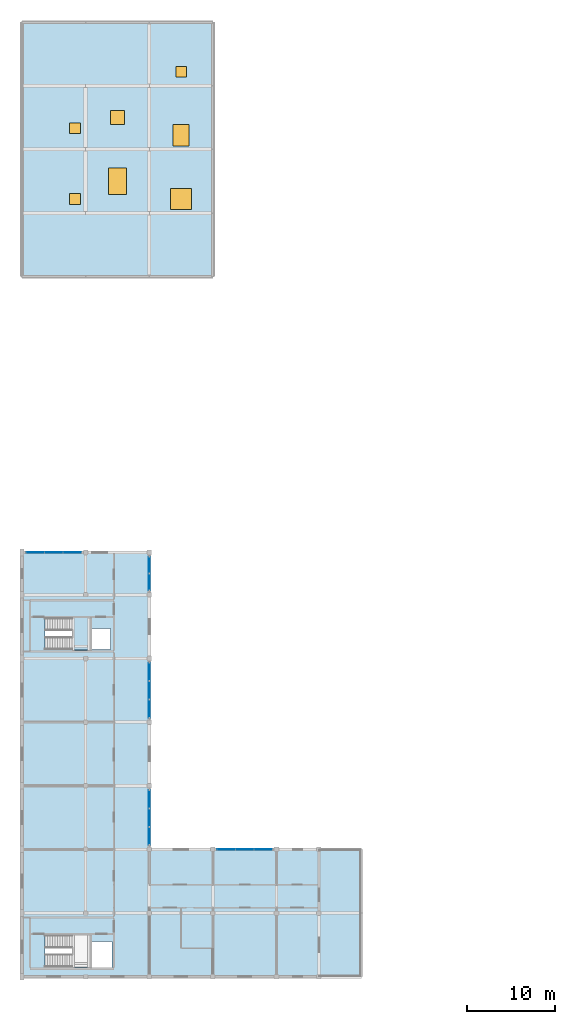
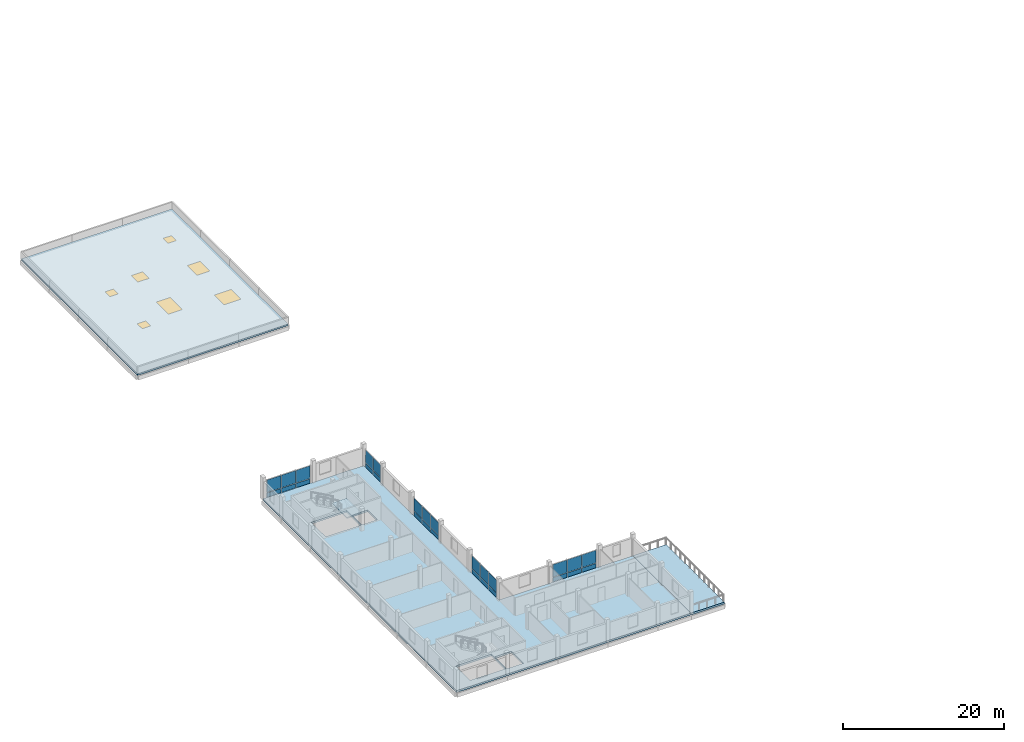
# One storey, part 17 of 26: 28 plates, 4 slabs, 4 windows, 3 doors, 7 openings, 6 elements without a shape of their own.
"""IFC4 building model written with IfcOpenShell, lengths in metres."""

from ifc_helpers import new_model, si_unit, direction, frame, origin, origin_2d, place, context, subcontext, project, spatial, polyline, rectangle, outline, extrude, material, layer, layer_set, type_object, element, fill, aggregate, save


model = new_model("IFC4")

# Units and contexts
model_context = context("Model", 3, precision=1e-05, world=origin(), true_north=direction((0.0, 1.0)))
body_context = subcontext(model_context, "Body", "Model", "MODEL_VIEW")
ifc_project = project(units=[si_unit("LENGTHUNIT", "METRE"), si_unit("AREAUNIT", "SQUARE_METRE"), si_unit("VOLUMEUNIT", "CUBIC_METRE"), si_unit("PLANEANGLEUNIT", "RADIAN"), si_unit("MASSUNIT", "GRAM", prefix="KILO")], contexts=[model_context])

# Site, building, storey
site_placement = place(None, origin())
site = spatial("IfcSite", under=ifc_project, at=site_placement, CompositionType="ELEMENT")
building_placement = place(site_placement, origin())
building = spatial("IfcBuilding", under=site, at=building_placement, Name="Zornivar Specialist Clinic", CompositionType="ELEMENT")
storey_placement = place(building_placement, frame((0.0, 0.0, 19.699951171875)))
storey = spatial("IfcBuildingStorey", under=building, at=storey_placement, Name="L05", CompositionType="ELEMENT", Elevation=19.699951171875)

# Curtain wall, plates
ifc_material_1 = material(Name="Aluminium and Low-E Glass Curtain Wall", Category="aluminium")
curtain_wall_type = type_object("IfcCurtainWallType", Name="CW-REVAK-COURT", PredefinedType="NOTDEFINED", material=ifc_material_1)
curtain_wall_1_placement = place(storey_placement, origin())
curtain_wall_1 = element("IfcCurtainWall", 1, at=curtain_wall_1_placement, inside=storey, type_object=curtain_wall_type, Name="cw:V2:L05:08", PredefinedType="NOTDEFINED")
ifc_material_2 = material(Name="Insulated Limestone-Faced Spandrel Panel", Category="masonry")
ifc_layer_1 = layer(ifc_material_2, 0.05810546875)
ifc_layer_set_1 = layer_set([ifc_layer_1], Name="Insulated Limestone-Faced Spandrel Panel")
plate_type_1 = type_object("IfcPlateType", Name="CWP-SPN-D", PredefinedType="CURTAIN_PANEL", material=ifc_layer_set_1)
plate_1_placement = place(storey_placement, frame((27.280029296875, 14.39990234375, 0.0302734375), z_axis=(0.0, 0.0, 1.0), x_axis=(-1.0, 0.0, 0.0)))
plate_1 = element("IfcPlate", 2, at=plate_1_placement, type_object=plate_type_1, Name="cw:V2:L05:08:spn:0", PredefinedType="CURTAIN_PANEL", context=body_context, shape_type="SweptSolid", body=[
    extrude(rectangle(XDim=2.010009765625, YDim=0.05810546875, at=origin_2d()), origin(), (0.0, 0.0, 1.0), 0.657958984375),
])
plate_2_placement = place(storey_placement, frame((25.199951171875, 14.39990234375, 0.0302734375), z_axis=(0.0, 0.0, 1.0), x_axis=(-1.0, 0.0, 0.0)))
plate_2 = element("IfcPlate", 3, at=plate_2_placement, type_object=plate_type_1, Name="cw:V2:L05:08:spn:1", PredefinedType="CURTAIN_PANEL", context=body_context, shape_type="SweptSolid", body=[
    extrude(rectangle(XDim=2.010009765625, YDim=0.05810546875, at=origin_2d()), origin(), (0.0, 0.0, 1.0), 0.657958984375),
])
plate_3_placement = place(storey_placement, frame((23.1201171875, 14.39990234375, 0.0302734375), z_axis=(0.0, 0.0, 1.0), x_axis=(-1.0, 0.0, 0.0)))
plate_3 = element("IfcPlate", 4, at=plate_3_placement, type_object=plate_type_1, Name="cw:V2:L05:08:spn:2", PredefinedType="CURTAIN_PANEL", context=body_context, shape_type="SweptSolid", body=[
    extrude(rectangle(XDim=2.010009765625, YDim=0.05810546875, at=origin_2d()), origin(), (0.0, 0.0, 1.0), 0.657958984375),
])

curtain_wall_2_placement = place(storey_placement, origin())
curtain_wall_2 = element("IfcCurtainWall", 5, at=curtain_wall_2_placement, inside=storey, type_object=curtain_wall_type, Name="cw:V2:L05:10", PredefinedType="NOTDEFINED")
plate_4_placement = place(storey_placement, frame((14.39990234375, 15.919921875, 0.0302734375), z_axis=(0.0, 0.0, 1.0), x_axis=(0.0, 1.0, 0.0)))
plate_4 = element("IfcPlate", 6, at=plate_4_placement, type_object=plate_type_1, Name="cw:V2:L05:10:spn:0", PredefinedType="CURTAIN_PANEL", context=body_context, shape_type="SweptSolid", body=[
    extrude(rectangle(XDim=2.010009765625, YDim=0.05810546875, at=origin_2d()), origin(), (0.0, 0.0, 1.0), 0.657958984375),
])
plate_5_placement = place(storey_placement, frame((14.39990234375, 18.0, 0.0302734375), z_axis=(0.0, 0.0, 1.0), x_axis=(0.0, 1.0, 0.0)))
plate_5 = element("IfcPlate", 7, at=plate_5_placement, type_object=plate_type_1, Name="cw:V2:L05:10:spn:1", PredefinedType="CURTAIN_PANEL", context=body_context, shape_type="SweptSolid", body=[
    extrude(rectangle(XDim=2.010009765625, YDim=0.05810546875, at=origin_2d()), origin(), (0.0, 0.0, 1.0), 0.657958984375),
])
plate_6_placement = place(storey_placement, frame((14.39990234375, 20.080078125, 0.0302734375), z_axis=(0.0, 0.0, 1.0), x_axis=(0.0, 1.0, 0.0)))
plate_6 = element("IfcPlate", 8, at=plate_6_placement, type_object=plate_type_1, Name="cw:V2:L05:10:spn:2", PredefinedType="CURTAIN_PANEL", context=body_context, shape_type="SweptSolid", body=[
    extrude(rectangle(XDim=2.010009765625, YDim=0.05810546875, at=origin_2d()), origin(), (0.0, 0.0, 1.0), 0.657958984375),
])

curtain_wall_3_placement = place(storey_placement, origin())
curtain_wall_3 = element("IfcCurtainWall", 9, at=curtain_wall_3_placement, inside=storey, type_object=curtain_wall_type, Name="cw:V2:L05:12", PredefinedType="NOTDEFINED")
plate_7_placement = place(storey_placement, frame((14.39990234375, 30.320068359375, 0.0302734375), z_axis=(0.0, 0.0, 1.0), x_axis=(0.0, 1.0, 0.0)))
plate_7 = element("IfcPlate", 10, at=plate_7_placement, type_object=plate_type_1, Name="cw:V2:L05:12:spn:0", PredefinedType="CURTAIN_PANEL", context=body_context, shape_type="SweptSolid", body=[
    extrude(rectangle(XDim=2.010009765625, YDim=0.05810546875, at=origin_2d()), origin(), (0.0, 0.0, 1.0), 0.657958984375),
])
plate_8_placement = place(storey_placement, frame((14.39990234375, 32.39990234375, 0.0302734375), z_axis=(0.0, 0.0, 1.0), x_axis=(0.0, 1.0, 0.0)))
plate_8 = element("IfcPlate", 11, at=plate_8_placement, type_object=plate_type_1, Name="cw:V2:L05:12:spn:1", PredefinedType="CURTAIN_PANEL", context=body_context, shape_type="SweptSolid", body=[
    extrude(rectangle(XDim=2.010009765625, YDim=0.05810546875, at=origin_2d()), origin(), (0.0, 0.0, 1.0), 0.657958984375),
])
plate_9_placement = place(storey_placement, frame((14.39990234375, 34.47998046875, 0.0302734375), z_axis=(0.0, 0.0, 1.0), x_axis=(0.0, 1.0, 0.0)))
plate_9 = element("IfcPlate", 12, at=plate_9_placement, type_object=plate_type_1, Name="cw:V2:L05:12:spn:2", PredefinedType="CURTAIN_PANEL", context=body_context, shape_type="SweptSolid", body=[
    extrude(rectangle(XDim=2.010009765625, YDim=0.05810546875, at=origin_2d()), origin(), (0.0, 0.0, 1.0), 0.657958984375),
])

curtain_wall_4_placement = place(storey_placement, origin())
curtain_wall_4 = element("IfcCurtainWall", 13, at=curtain_wall_4_placement, inside=storey, type_object=curtain_wall_type, Name="cw:V2:L05:14", PredefinedType="NOTDEFINED")
plate_10_placement = place(storey_placement, frame((14.39990234375, 44.639892578125, 0.0302734375), z_axis=(0.0, 0.0, 1.0), x_axis=(0.0, 1.0, 0.0)))
plate_10 = element("IfcPlate", 14, at=plate_10_placement, type_object=plate_type_1, Name="cw:V2:L05:14:spn:0", PredefinedType="CURTAIN_PANEL", context=body_context, shape_type="SweptSolid", body=[
    extrude(rectangle(XDim=1.85009765625, YDim=0.05810546875, at=origin_2d()), origin(), (0.0, 0.0, 1.0), 0.657958984375),
])
plate_11_placement = place(storey_placement, frame((14.39990234375, 46.56005859375, 0.0302734375), z_axis=(0.0, 0.0, 1.0), x_axis=(0.0, 1.0, 0.0)))
plate_11 = element("IfcPlate", 15, at=plate_11_placement, type_object=plate_type_1, Name="cw:V2:L05:14:spn:1", PredefinedType="CURTAIN_PANEL", context=body_context, shape_type="SweptSolid", body=[
    extrude(rectangle(XDim=1.85009765625, YDim=0.05810546875, at=origin_2d()), origin(), (0.0, 0.0, 1.0), 0.657958984375),
])

curtain_wall_5_placement = place(storey_placement, origin())
curtain_wall_5 = element("IfcCurtainWall", 16, at=curtain_wall_5_placement, inside=storey, type_object=curtain_wall_type, Name="cw:V2:L05:16", PredefinedType="NOTDEFINED")
plate_12_placement = place(storey_placement, frame((5.679931640625, 48.0, 0.0302734375), z_axis=(0.0, 0.0, 1.0), x_axis=(-1.0, 0.0, 0.0)))
plate_12 = element("IfcPlate", 17, at=plate_12_placement, type_object=plate_type_1, Name="cw:V2:L05:16:spn:0", PredefinedType="CURTAIN_PANEL", context=body_context, shape_type="SweptSolid", body=[
    extrude(rectangle(XDim=2.010009765625, YDim=0.05810546875, at=origin_2d()), origin(), (0.0, 0.0, 1.0), 0.657958984375),
])
plate_13_placement = place(storey_placement, frame((3.60009765625, 48.0, 0.0302734375), z_axis=(0.0, 0.0, 1.0), x_axis=(-1.0, 0.0, 0.0)))
plate_13 = element("IfcPlate", 18, at=plate_13_placement, type_object=plate_type_1, Name="cw:V2:L05:16:spn:1", PredefinedType="CURTAIN_PANEL", context=body_context, shape_type="SweptSolid", body=[
    extrude(rectangle(XDim=2.010009765625, YDim=0.05810546875, at=origin_2d()), origin(), (0.0, 0.0, 1.0), 0.657958984375),
])
plate_14_placement = place(storey_placement, frame((1.52001953125, 48.0, 0.0302734375), z_axis=(0.0, 0.0, 1.0), x_axis=(-1.0, 0.0, 0.0)))
plate_14 = element("IfcPlate", 19, at=plate_14_placement, type_object=plate_type_1, Name="cw:V2:L05:16:spn:2", PredefinedType="CURTAIN_PANEL", context=body_context, shape_type="SweptSolid", body=[
    extrude(rectangle(XDim=2.010009765625, YDim=0.05810546875, at=origin_2d()), origin(), (0.0, 0.0, 1.0), 0.657958984375),
])

# Plate
ifc_material_3 = material(Name="Triple Low-E Vision Glass", Category="glass")
ifc_layer_2 = layer(ifc_material_3, 0.035888671875)
ifc_layer_set_2 = layer_set([ifc_layer_2], Name="Triple Low-E Vision Glass")
plate_type_2 = type_object("IfcPlateType", Name="CWP-VIS-F", PredefinedType="CURTAIN_PANEL", material=ifc_layer_set_2)
plate_15_placement = place(storey_placement, frame((27.280029296875, 14.39990234375, 0.75341796875), z_axis=(0.0, 0.0, 1.0), x_axis=(-1.0, 0.0, 0.0)))
plate_15 = element("IfcPlate", 20, at=plate_15_placement, type_object=plate_type_2, Name="cw:V2:L05:08:vis:0", PredefinedType="CURTAIN_PANEL", context=body_context, shape_type="SweptSolid", body=[
    extrude(rectangle(XDim=2.010009765625, YDim=0.035888671875, at=origin_2d()), origin(), (0.0, 0.0, 1.0), 1.906982421875),
])

plate_16_placement = place(storey_placement, frame((25.199951171875, 14.39990234375, 0.75341796875), z_axis=(0.0, 0.0, 1.0), x_axis=(-1.0, 0.0, 0.0)))
plate_16 = element("IfcPlate", 21, at=plate_16_placement, type_object=plate_type_2, Name="cw:V2:L05:08:vis:1", PredefinedType="CURTAIN_PANEL", context=body_context, shape_type="SweptSolid", body=[
    extrude(rectangle(XDim=2.010009765625, YDim=0.035888671875, at=origin_2d()), origin(), (0.0, 0.0, 1.0), 1.906982421875),
])

plate_17_placement = place(storey_placement, frame((23.1201171875, 14.39990234375, 0.75341796875), z_axis=(0.0, 0.0, 1.0), x_axis=(-1.0, 0.0, 0.0)))
plate_17 = element("IfcPlate", 22, at=plate_17_placement, type_object=plate_type_2, Name="cw:V2:L05:08:vis:2", PredefinedType="CURTAIN_PANEL", context=body_context, shape_type="SweptSolid", body=[
    extrude(rectangle(XDim=2.010009765625, YDim=0.035888671875, at=origin_2d()), origin(), (0.0, 0.0, 1.0), 1.906982421875),
])

aggregate(curtain_wall_1, [plate_1, plate_15, plate_2, plate_16, plate_3, plate_17])

plate_18_placement = place(storey_placement, frame((14.39990234375, 30.320068359375, 0.75341796875), z_axis=(0.0, 0.0, 1.0), x_axis=(0.0, 1.0, 0.0)))
plate_18 = element("IfcPlate", 23, at=plate_18_placement, type_object=plate_type_2, Name="cw:V2:L05:12:vis:0", PredefinedType="CURTAIN_PANEL", context=body_context, shape_type="SweptSolid", body=[
    extrude(rectangle(XDim=2.010009765625, YDim=0.035888671875, at=origin_2d()), origin(), (0.0, 0.0, 1.0), 1.906982421875),
])

plate_19_placement = place(storey_placement, frame((14.39990234375, 32.39990234375, 0.75341796875), z_axis=(0.0, 0.0, 1.0), x_axis=(0.0, 1.0, 0.0)))
plate_19 = element("IfcPlate", 24, at=plate_19_placement, type_object=plate_type_2, Name="cw:V2:L05:12:vis:1", PredefinedType="CURTAIN_PANEL", context=body_context, shape_type="SweptSolid", body=[
    extrude(rectangle(XDim=2.010009765625, YDim=0.035888671875, at=origin_2d()), origin(), (0.0, 0.0, 1.0), 1.906982421875),
])

plate_20_placement = place(storey_placement, frame((14.39990234375, 34.47998046875, 0.75341796875), z_axis=(0.0, 0.0, 1.0), x_axis=(0.0, 1.0, 0.0)))
plate_20 = element("IfcPlate", 25, at=plate_20_placement, type_object=plate_type_2, Name="cw:V2:L05:12:vis:2", PredefinedType="CURTAIN_PANEL", context=body_context, shape_type="SweptSolid", body=[
    extrude(rectangle(XDim=2.010009765625, YDim=0.035888671875, at=origin_2d()), origin(), (0.0, 0.0, 1.0), 1.906982421875),
])

aggregate(curtain_wall_3, [plate_7, plate_18, plate_8, plate_19, plate_9, plate_20])

plate_21_placement = place(storey_placement, frame((5.679931640625, 48.0, 0.75341796875), z_axis=(0.0, 0.0, 1.0), x_axis=(-1.0, 0.0, 0.0)))
plate_21 = element("IfcPlate", 26, at=plate_21_placement, type_object=plate_type_2, Name="cw:V2:L05:16:vis:0", PredefinedType="CURTAIN_PANEL", context=body_context, shape_type="SweptSolid", body=[
    extrude(rectangle(XDim=2.010009765625, YDim=0.035888671875, at=origin_2d()), origin(), (0.0, 0.0, 1.0), 1.906982421875),
])

plate_22_placement = place(storey_placement, frame((3.60009765625, 48.0, 0.75341796875), z_axis=(0.0, 0.0, 1.0), x_axis=(-1.0, 0.0, 0.0)))
plate_22 = element("IfcPlate", 27, at=plate_22_placement, type_object=plate_type_2, Name="cw:V2:L05:16:vis:1", PredefinedType="CURTAIN_PANEL", context=body_context, shape_type="SweptSolid", body=[
    extrude(rectangle(XDim=2.010009765625, YDim=0.035888671875, at=origin_2d()), origin(), (0.0, 0.0, 1.0), 1.906982421875),
])

plate_23_placement = place(storey_placement, frame((1.52001953125, 48.0, 0.75341796875), z_axis=(0.0, 0.0, 1.0), x_axis=(-1.0, 0.0, 0.0)))
plate_23 = element("IfcPlate", 28, at=plate_23_placement, type_object=plate_type_2, Name="cw:V2:L05:16:vis:2", PredefinedType="CURTAIN_PANEL", context=body_context, shape_type="SweptSolid", body=[
    extrude(rectangle(XDim=2.010009765625, YDim=0.035888671875, at=origin_2d()), origin(), (0.0, 0.0, 1.0), 1.906982421875),
])

aggregate(curtain_wall_5, [plate_12, plate_21, plate_13, plate_22, plate_14, plate_23])

ifc_material_4 = material(Name="Triple Low-E Vision Glass", Category="glass")
ifc_layer_3 = layer(ifc_material_4, 0.035888671875)
ifc_layer_set_3 = layer_set([ifc_layer_3], Name="Triple Low-E Vision Glass")
plate_type_3 = type_object("IfcPlateType", Name="CWP-VIS-G", PredefinedType="CURTAIN_PANEL", material=ifc_layer_set_3)
plate_24_placement = place(storey_placement, frame((14.39990234375, 15.919921875, 0.75341796875), z_axis=(0.0, 0.0, 1.0), x_axis=(0.0, 1.0, 0.0)))
plate_24 = element("IfcPlate", 29, at=plate_24_placement, type_object=plate_type_3, Name="cw:V2:L05:10:vis:0", PredefinedType="CURTAIN_PANEL", context=body_context, shape_type="SweptSolid", body=[
    extrude(rectangle(XDim=2.010009765625, YDim=0.035888671875, at=origin_2d()), origin(), (0.0, 0.0, 1.0), 1.906982421875),
])

plate_25_placement = place(storey_placement, frame((14.39990234375, 18.0, 0.75341796875), z_axis=(0.0, 0.0, 1.0), x_axis=(0.0, 1.0, 0.0)))
plate_25 = element("IfcPlate", 30, at=plate_25_placement, type_object=plate_type_3, Name="cw:V2:L05:10:vis:1", PredefinedType="CURTAIN_PANEL", context=body_context, shape_type="SweptSolid", body=[
    extrude(rectangle(XDim=2.010009765625, YDim=0.035888671875, at=origin_2d()), origin(), (0.0, 0.0, 1.0), 1.906982421875),
])

plate_26_placement = place(storey_placement, frame((14.39990234375, 20.080078125, 0.75341796875), z_axis=(0.0, 0.0, 1.0), x_axis=(0.0, 1.0, 0.0)))
plate_26 = element("IfcPlate", 31, at=plate_26_placement, type_object=plate_type_3, Name="cw:V2:L05:10:vis:2", PredefinedType="CURTAIN_PANEL", context=body_context, shape_type="SweptSolid", body=[
    extrude(rectangle(XDim=2.010009765625, YDim=0.035888671875, at=origin_2d()), origin(), (0.0, 0.0, 1.0), 1.906982421875),
])

aggregate(curtain_wall_2, [plate_4, plate_24, plate_5, plate_25, plate_6, plate_26])

plate_27_placement = place(storey_placement, frame((14.39990234375, 44.639892578125, 0.75341796875), z_axis=(0.0, 0.0, 1.0), x_axis=(0.0, 1.0, 0.0)))
plate_27 = element("IfcPlate", 32, at=plate_27_placement, type_object=plate_type_3, Name="cw:V2:L05:14:vis:0", PredefinedType="CURTAIN_PANEL", context=body_context, shape_type="SweptSolid", body=[
    extrude(rectangle(XDim=1.85009765625, YDim=0.035888671875, at=origin_2d()), origin(), (0.0, 0.0, 1.0), 1.906982421875),
])

plate_28_placement = place(storey_placement, frame((14.39990234375, 46.56005859375, 0.75341796875), z_axis=(0.0, 0.0, 1.0), x_axis=(0.0, 1.0, 0.0)))
plate_28 = element("IfcPlate", 33, at=plate_28_placement, type_object=plate_type_3, Name="cw:V2:L05:14:vis:1", PredefinedType="CURTAIN_PANEL", context=body_context, shape_type="SweptSolid", body=[
    extrude(rectangle(XDim=1.85009765625, YDim=0.035888671875, at=origin_2d()), origin(), (0.0, 0.0, 1.0), 1.906982421875),
])

aggregate(curtain_wall_4, [plate_10, plate_27, plate_11, plate_28])

# Slabs
ifc_material_5 = material(Name="Concrete C30/37", Category="concrete")
ifc_layer_4 = layer(ifc_material_5, 0.280029296875)
ifc_layer_set_4 = layer_set([ifc_layer_4], Name="Concrete C30/37")
slab_type_1 = type_object("IfcSlabType", Name="SLB-EXT-TERR-280", PredefinedType="FLOOR", material=ifc_layer_set_4)
slab_1_placement = place(storey_placement, frame((0.0, 0.0, -0.280029296875)))
element("IfcSlab", 34, at=slab_1_placement, inside=storey, type_object=slab_type_1, Name="slab:V2:L05:terr:0", PredefinedType="FLOOR", context=body_context, shape_type="SweptSolid", body=[
    extrude(outline(polyline([(33.60009765625, 0.0), (38.39990234375, 0.0), (38.39990234375, 14.39990234375), (33.60009765625, 14.39990234375), (33.60009765625, 0.0)])), origin(), (0.0, 0.0, 1.0), 0.280029296875),
])
ifc_material_6 = material(Name="Concrete C30/37", Category="concrete")
ifc_layer_5 = layer(ifc_material_6, 0.280029296875)
ifc_layer_set_5 = layer_set([ifc_layer_5], Name="Concrete C30/37")
slab_type_2 = type_object("IfcSlabType", Name="SLB-FLR-280", PredefinedType="FLOOR", material=ifc_layer_set_5)
slab_2_placement = place(storey_placement, frame((0.0, 0.0, -0.280029296875)))
element("IfcSlab", 35, at=slab_2_placement, inside=storey, type_object=slab_type_2, Name="slab:V2:L05:main", PredefinedType="FLOOR", context=body_context, shape_type="SweptSolid", body=[
    extrude(outline(polyline([(0.0, 0.0), (33.60009765625, 0.0), (33.60009765625, 14.39990234375), (14.39990234375, 14.39990234375), (14.39990234375, 48.0), (0.0, 48.0), (0.0, 0.0)]), holes=[polyline([(2.6201171875, 1.10009765625), (7.699951171875, 1.10009765625), (7.699951171875, 4.699951171875), (2.6201171875, 4.699951171875), (2.6201171875, 1.10009765625)]), polyline([(7.800048828125, 1.0), (10.199951171875, 1.0), (10.199951171875, 4.0), (7.800048828125, 4.0), (7.800048828125, 1.0)]), polyline([(2.6201171875, 37.0), (7.699951171875, 37.0), (7.699951171875, 40.60009765625), (2.6201171875, 40.60009765625), (2.6201171875, 37.0)]), polyline([(7.800048828125, 37.0), (10.0, 37.0), (10.0, 39.39990234375), (7.800048828125, 39.39990234375), (7.800048828125, 37.0)])]), origin(), (0.0, 0.0, 1.0), 0.280029296875),
])

# Stair, slab
ifc_material_7 = material(Name="Concrete C30/37", Category="concrete")
stair_type = type_object("IfcStairType", Name="STR-CORE-UPPER-3700", PredefinedType="HALF_TURN_STAIR", material=ifc_material_7)
stair_placement = place(storey_placement, origin())
stair = element("IfcStair", 36, at=stair_placement, inside=storey, type_object=stair_type, Name="stair:C2:L05", PredefinedType="HALF_TURN_STAIR")
ifc_material_8 = material(Name="Concrete C30/37", Category="concrete")
ifc_layer_6 = layer(ifc_material_8, 0.179931640625)
ifc_layer_set_6 = layer_set([ifc_layer_6], Name="Concrete C30/37")
slab_type_3 = type_object("IfcSlabType", Name="SLB-LANDING-180", PredefinedType="LANDING", material=ifc_layer_set_6)
slab_3_placement = place(storey_placement, frame((0.0, 0.0, 1.670166015625)))
slab_3 = element("IfcSlab", 37, at=slab_3_placement, type_object=slab_type_3, Name="stair:C2:L05:land", PredefinedType="LANDING", context=body_context, shape_type="SweptSolid", body=[
    extrude(outline(polyline([(5.659912109375, 36.97998046875), (7.719970703125, 36.97998046875), (7.719970703125, 40.6201171875), (5.659912109375, 40.6201171875), (5.659912109375, 36.97998046875)])), origin(), (0.0, 0.0, 1.0), 0.179931640625),
])
aggregate(stair, [slab_3])

# Slab, openings, doors, windows
ifc_material_9 = material(Name="Concrete C30/37", Category="concrete")
ifc_layer_7 = layer(ifc_material_9, 0.239990234375)
ifc_layer_set_7 = layer_set([ifc_layer_7], Name="Concrete C30/37")
slab_type_4 = type_object("IfcSlabType", Name="SLB-ROOF-FLAT-240", PredefinedType="ROOF", material=ifc_layer_set_7)
slab_4_placement = place(storey_placement, frame((0.0, 0.0, -0.239990234375)))
slab_4 = element("IfcSlab", 38, at=slab_4_placement, inside=storey, type_object=slab_type_4, Name="slab:V5:L05:roof", PredefinedType="ROOF", context=body_context, shape_type="SweptSolid", body=[
    extrude(outline(polyline([(0.0, 79.199951171875), (21.60009765625, 79.199951171875), (21.60009765625, 108.0), (0.0, 108.0), (0.0, 79.199951171875)])), origin(), (0.0, 0.0, 1.0), 0.239990234375),
])
opening_1_placement = place(slab_4_placement, frame((10.800048828125, 90.0, 0.0)))
opening_1 = element("IfcOpeningElement", 39, at=opening_1_placement, cuts=slab_4, Name="Opening SK-02", PredefinedType="OPENING", context=body_context, shape_type="SweptSolid", body=[
    extrude(rectangle(XDim=2.0, YDim=3.0, at=origin_2d()), origin(), (0.0, 0.0, 1.0), 0.239990234375),
])
opening_2_placement = place(slab_4_placement, frame((10.800048828125, 97.199951171875, 0.0)))
opening_2 = element("IfcOpeningElement", 40, at=opening_2_placement, cuts=slab_4, Name="Opening SK-04", PredefinedType="OPENING", context=body_context, shape_type="SweptSolid", body=[
    extrude(rectangle(XDim=1.60009765625, YDim=1.60009765625, at=origin_2d()), origin(), (0.0, 0.0, 1.0), 0.239990234375),
])
opening_3_placement = place(slab_4_placement, frame((18.0, 88.0, 0.0)))
opening_3 = element("IfcOpeningElement", 41, at=opening_3_placement, cuts=slab_4, Name="Opening SK-01", PredefinedType="OPENING", context=body_context, shape_type="SweptSolid", body=[
    extrude(rectangle(XDim=2.39990234375, YDim=2.39990234375, at=origin_2d()), origin(), (0.0, 0.0, 1.0), 0.239990234375),
])
opening_4_placement = place(slab_4_placement, frame((18.0, 95.199951171875, 0.0)))
opening_4 = element("IfcOpeningElement", 42, at=opening_4_placement, cuts=slab_4, Name="Opening SK-03", PredefinedType="OPENING", context=body_context, shape_type="SweptSolid", body=[
    extrude(rectangle(XDim=1.800048828125, YDim=2.39990234375, at=origin_2d()), origin(), (0.0, 0.0, 1.0), 0.239990234375),
])
opening_5_placement = place(slab_4_placement, frame((18.0, 102.39990234375, 0.0)))
opening_5 = element("IfcOpeningElement", 43, at=opening_5_placement, cuts=slab_4, Name="Opening RH-01", PredefinedType="OPENING", context=body_context, shape_type="SweptSolid", body=[
    extrude(rectangle(XDim=1.199951171875, YDim=1.199951171875, at=origin_2d()), origin(), (0.0, 0.0, 1.0), 0.239990234375),
])
opening_6_placement = place(slab_4_placement, frame((6.0, 96.0, 0.0)))
opening_6 = element("IfcOpeningElement", 44, at=opening_6_placement, cuts=slab_4, Name="Opening RH-01", PredefinedType="OPENING", context=body_context, shape_type="SweptSolid", body=[
    extrude(rectangle(XDim=1.199951171875, YDim=1.199951171875, at=origin_2d()), origin(), (0.0, 0.0, 1.0), 0.239990234375),
])
opening_7_placement = place(slab_4_placement, frame((6.0, 88.0, 0.0)))
opening_7 = element("IfcOpeningElement", 45, at=opening_7_placement, cuts=slab_4, Name="Opening RH-01", PredefinedType="OPENING", context=body_context, shape_type="SweptSolid", body=[
    extrude(rectangle(XDim=1.199951171875, YDim=1.199951171875, at=origin_2d()), origin(), (0.0, 0.0, 1.0), 0.239990234375),
])
ifc_material_10 = material(Name="Thermally Broken Glazed Aluminium Door", Category="aluminium")
door_type = type_object("IfcDoorType", Name="RH-HATCH-1200x1200", OperationType="NOTDEFINED", PredefinedType="TRAPDOOR", material=ifc_material_10)
door_1_placement = place(opening_5_placement, frame((0.0, 0.0, 0.18994140625)))
door_1 = element("IfcDoor", 46, at=door_1_placement, inside=storey, type_object=door_type, Name="hatch:V5:L05:4", OperationType="SINGLE_SWING_LEFT", OverallHeight=1.199951171875, OverallWidth=1.199951171875, PredefinedType="TRAPDOOR", context=body_context, shape_type="SweptSolid", body=[
    extrude(rectangle(XDim=1.199951171875, YDim=1.199951171875, at=origin_2d()), origin(), (0.0, 0.0, 1.0), 0.050048828125),
])
fill(opening_5, door_1)
door_2_placement = place(opening_6_placement, frame((0.0, 0.0, 0.18994140625)))
door_2 = element("IfcDoor", 47, at=door_2_placement, inside=storey, type_object=door_type, Name="hatch:V5:L05:5", OperationType="SINGLE_SWING_LEFT", OverallHeight=1.199951171875, OverallWidth=1.199951171875, PredefinedType="TRAPDOOR", context=body_context, shape_type="SweptSolid", body=[
    extrude(rectangle(XDim=1.199951171875, YDim=1.199951171875, at=origin_2d()), origin(), (0.0, 0.0, 1.0), 0.050048828125),
])
fill(opening_6, door_2)
door_3_placement = place(opening_7_placement, frame((0.0, 0.0, 0.18994140625)))
door_3 = element("IfcDoor", 48, at=door_3_placement, inside=storey, type_object=door_type, Name="hatch:V5:L05:6", OperationType="SINGLE_SWING_LEFT", OverallHeight=1.199951171875, OverallWidth=1.199951171875, PredefinedType="TRAPDOOR", context=body_context, shape_type="SweptSolid", body=[
    extrude(rectangle(XDim=1.199951171875, YDim=1.199951171875, at=origin_2d()), origin(), (0.0, 0.0, 1.0), 0.050048828125),
])
fill(opening_7, door_3)
ifc_material_11 = material(Name="Triple-Glazed Aluminium-Timber Window Glass", Category="wood")
window_type_1 = type_object("IfcWindowType", Name="SKY-ROOF-1600x1600", PartitioningType="SINGLE_PANEL", PredefinedType="SKYLIGHT", material=ifc_material_11)
window_1_placement = place(opening_2_placement, frame((0.0, 0.0, 0.18994140625)))
window_1 = element("IfcWindow", 49, at=window_1_placement, inside=storey, type_object=window_type_1, Name="hatch:V5:L05:1", OverallHeight=1.60009765625, OverallWidth=1.60009765625, PartitioningType="SINGLE_PANEL", PredefinedType="SKYLIGHT", context=body_context, shape_type="SweptSolid", body=[
    extrude(rectangle(XDim=1.60009765625, YDim=1.60009765625, at=origin_2d()), origin(), (0.0, 0.0, 1.0), 0.050048828125),
])
fill(opening_2, window_1)
ifc_material_12 = material(Name="Triple-Glazed Aluminium-Timber Window Glass", Category="wood")
window_type_2 = type_object("IfcWindowType", Name="SKY-ROOF-1800x2400", PartitioningType="SINGLE_PANEL", PredefinedType="SKYLIGHT", material=ifc_material_12)
window_2_placement = place(opening_4_placement, frame((0.0, 0.0, 0.18994140625)))
window_2 = element("IfcWindow", 50, at=window_2_placement, inside=storey, type_object=window_type_2, Name="hatch:V5:L05:3", OverallHeight=2.39990234375, OverallWidth=1.800048828125, PartitioningType="SINGLE_PANEL", PredefinedType="SKYLIGHT", context=body_context, shape_type="SweptSolid", body=[
    extrude(rectangle(XDim=1.800048828125, YDim=2.39990234375, at=origin_2d()), origin(), (0.0, 0.0, 1.0), 0.050048828125),
])
fill(opening_4, window_2)
ifc_material_13 = material(Name="Triple-Glazed Aluminium-Timber Window Glass", Category="wood")
window_type_3 = type_object("IfcWindowType", Name="SKY-ROOF-2000x3000", PartitioningType="SINGLE_PANEL", PredefinedType="SKYLIGHT", material=ifc_material_13)
window_3_placement = place(opening_1_placement, frame((0.0, 0.0, 0.18994140625)))
window_3 = element("IfcWindow", 51, at=window_3_placement, inside=storey, type_object=window_type_3, Name="hatch:V5:L05:0", OverallHeight=3.0, OverallWidth=2.0, PartitioningType="SINGLE_PANEL", PredefinedType="SKYLIGHT", context=body_context, shape_type="SweptSolid", body=[
    extrude(rectangle(XDim=2.0, YDim=3.0, at=origin_2d()), origin(), (0.0, 0.0, 1.0), 0.050048828125),
])
fill(opening_1, window_3)
ifc_material_14 = material(Name="Triple-Glazed Aluminium-Timber Window Glass", Category="wood")
window_type_4 = type_object("IfcWindowType", Name="SKY-ROOF-2400x2400", PartitioningType="SINGLE_PANEL", PredefinedType="SKYLIGHT", material=ifc_material_14)
window_4_placement = place(opening_3_placement, frame((0.0, 0.0, 0.18994140625)))
window_4 = element("IfcWindow", 52, at=window_4_placement, inside=storey, type_object=window_type_4, Name="hatch:V5:L05:2", OverallHeight=2.39990234375, OverallWidth=2.39990234375, PartitioningType="SINGLE_PANEL", PredefinedType="SKYLIGHT", context=body_context, shape_type="SweptSolid", body=[
    extrude(rectangle(XDim=2.39990234375, YDim=2.39990234375, at=origin_2d()), origin(), (0.0, 0.0, 1.0), 0.050048828125),
])
fill(opening_3, window_4)

save(model, "model.ifc")
